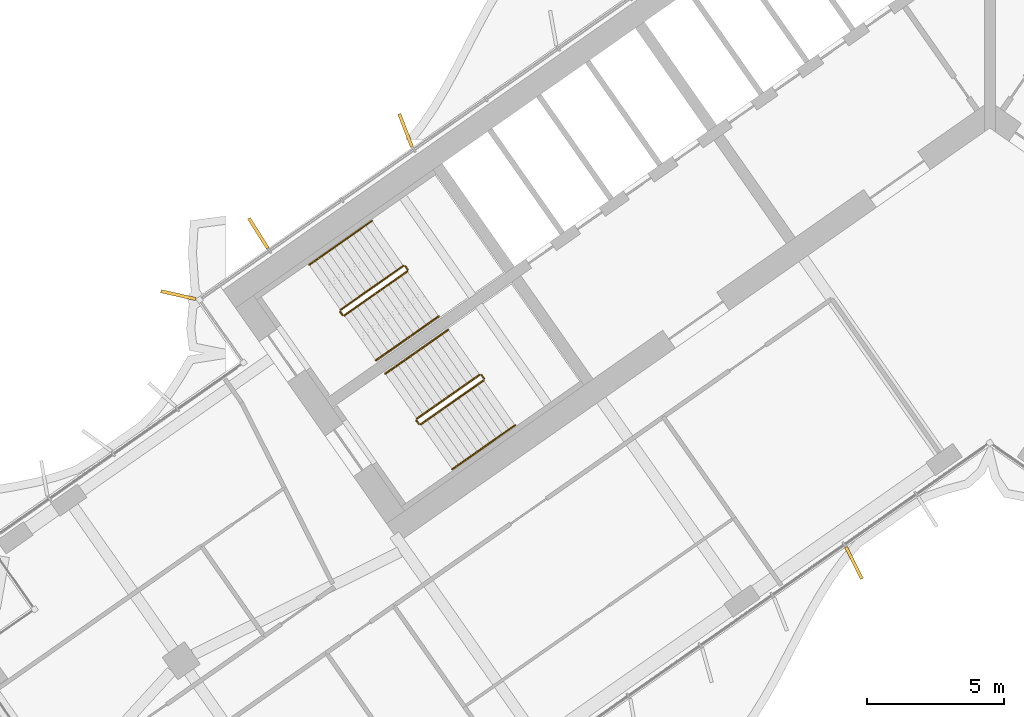
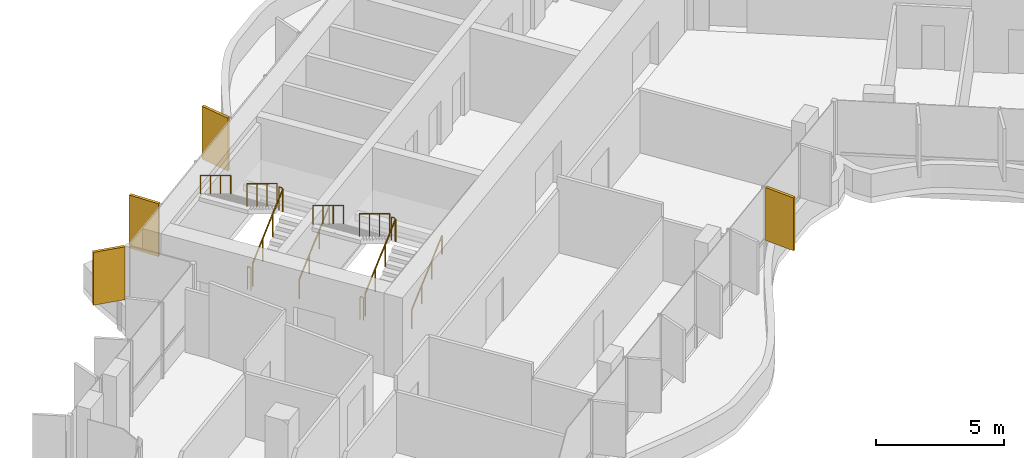
# One storey, part 20 of 24: 12 railings, 4 shading devices.
"""IFC4 building model written with IfcOpenShell, lengths in metres."""

from ifc_helpers import new_model, si_unit, direction, frame, origin, origin_2d, place, context, subcontext, project, spatial, rectangle, circle, extrude, material, layer, layer_set, type_object, element, save


model = new_model("IFC4")

# Units and contexts
model_context = context("Model", 3, precision=1e-05, world=origin(), true_north=direction((0.0, 1.0)))
body_context = subcontext(model_context, "Body", "Model", "MODEL_VIEW")
ifc_project = project(units=[si_unit("LENGTHUNIT", "METRE"), si_unit("AREAUNIT", "SQUARE_METRE"), si_unit("VOLUMEUNIT", "CUBIC_METRE"), si_unit("PLANEANGLEUNIT", "RADIAN"), si_unit("MASSUNIT", "GRAM", prefix="KILO")], contexts=[model_context])

# Site, building, storey
site_placement = place(None, origin())
site = spatial("IfcSite", under=ifc_project, at=site_placement, CompositionType="ELEMENT")
building_placement = place(site_placement, origin())
building = spatial("IfcBuilding", under=site, at=building_placement, Name="Tel Ilan Convention Tower", CompositionType="ELEMENT")
storey_placement = place(building_placement, frame((0.0, 0.0, 167.10009765625)))
storey = spatial("IfcBuildingStorey", under=building, at=storey_placement, Name="L38", CompositionType="ELEMENT", Elevation=167.10009765625)

# Shading devices
ifc_material_1 = material(Name="Aluminium, bronze anodised", Category="aluminium")
ifc_layer = layer(ifc_material_1, 0.1201171875)
ifc_layer_set = layer_set([ifc_layer], Name="FIN BRONZE 1300x120")
shading_device_type = type_object("IfcShadingDeviceType", Name="FIN BRONZE 1300x120", PredefinedType="USERDEFINED", material=ifc_layer_set)
for number, where, z_axis, x_axis, name in (
    (1, (-21.302978515625, -1.31103515625, 1.099853515625), (0.0, 0.0, 1.0), (-0.360177724803, 0.932883704733, 0.0), "FIN"),
    (2, (-26.674072265625, -5.063720703125, 1.099853515625), (0.0, 0.0, 1.0), (-0.533204432798, 0.845986425922, 0.0), "FIN"),
    (3, (-29.594970703125, -7.31494140625, 1.099853515625), (0.0, 0.0, 1.0), (-0.975235208752, 0.221170268371, 0.0), "FIN"),
    (4, (-4.9541015625, -17.08203125, 1.099853515625), (0.0, 0.0, 1.0), (0.448799180206, -0.893632640321, 0.0), "FIN"),
):
    element("IfcShadingDevice", number, at=place(storey_placement, frame(where, z_axis=z_axis, x_axis=x_axis)), inside=storey, type_object=shading_device_type, Name=name, ObjectType="FIN", PredefinedType="USERDEFINED", context=body_context, shape_type="SweptSolid", body=[
        extrude(rectangle(XDim=1.300048828125, YDim=0.1201171875, at=origin_2d()), origin(), (0.0, 0.0, 1.0), 2.52001953125),
    ])

# Railings
ifc_material_2 = material(Name="Stainless Steel Grade 316", Category="steel")
railing_type_1 = type_object("IfcRailingType", Name="Stainless Steel Stair Guard 1100 mm", PredefinedType="GUARDRAIL", material=ifc_material_2)
railing_1_placement = place(storey_placement, frame((-23.535400390625, -8.056396484375, 0.17724609375)))
element("IfcRailing", 5, at=railing_1_placement, inside=storey, type_object=railing_type_1, Name="L38 S1 stair guard 1", PredefinedType="GUARDRAIL", context=body_context, shape_type="SweptSolid", body=[
    extrude(circle(Radius=0.02392578125, at=origin_2d()), frame((0.0, 0.0, 1.076171875), z_axis=(0.692098378994, 0.484653031975, 0.534893701956), x_axis=(-0.573608623498, 0.819129505664, 0.0)), (0.0, 0.0, 1.0), 3.314208984375),
    extrude(circle(Radius=0.02099609375, at=origin_2d()), origin(), (0.0, 0.0, 1.0), 1.052001953125),
    extrude(circle(Radius=0.02099609375, at=origin_2d()), frame((0.7646484375, 0.535400390625, 0.5908203125)), (0.0, 0.0, 1.0), 1.052001953125),
    extrude(circle(Radius=0.02099609375, at=origin_2d()), frame((1.529052734375, 1.07080078125, 1.181884765625)), (0.0, 0.0, 1.0), 1.052001953125),
    extrude(circle(Radius=0.02099609375, at=origin_2d()), frame((2.293701171875, 1.606201171875, 1.772705078125)), (0.0, 0.0, 1.0), 1.052001953125),
])
railing_2_placement = place(storey_placement, frame((-21.2294921875, -6.380615234375, 1.949951171875)))
element("IfcRailing", 6, at=railing_2_placement, inside=storey, type_object=railing_type_1, Name="L38 S1 stair guard 2", PredefinedType="GUARDRAIL", context=body_context, shape_type="SweptSolid", body=[
    extrude(circle(Radius=0.02392578125, at=origin_2d()), frame((0.0, 0.0, 1.076171875), z_axis=(-0.573353020881, 0.819308436089, 0.0), x_axis=(-0.819308436089, -0.573353020881, 0.0)), (0.0, 0.0, 1.0), 0.14990234375),
    extrude(circle(Radius=0.02099609375, at=origin_2d()), origin(), (0.0, 0.0, 1.0), 1.052001953125),
    extrude(circle(Radius=0.02099609375, at=origin_2d()), frame((-0.0859375, 0.122802734375, 0.0)), (0.0, 0.0, 1.0), 1.052001953125),
])
railing_3_placement = place(storey_placement, frame((-21.38525390625, -6.24560546875, 2.127197265625)))
element("IfcRailing", 7, at=railing_3_placement, inside=storey, type_object=railing_type_1, Name="L38 S1 stair guard 3", PredefinedType="GUARDRAIL", context=body_context, shape_type="SweptSolid", body=[
    extrude(circle(Radius=0.02392578125, at=origin_2d()), frame((0.0, 0.0, 1.076171875), z_axis=(-0.692084706163, -0.484621375041, 0.534940073605), x_axis=(0.573591086599, -0.819141785879, 0.0)), (0.0, 0.0, 1.0), 3.313720703125),
    extrude(circle(Radius=0.02099609375, at=origin_2d()), origin(), (0.0, 0.0, 1.0), 1.052001953125),
    extrude(circle(Radius=0.02099609375, at=origin_2d()), frame((-0.764404296875, -0.535400390625, 0.5908203125)), (0.0, 0.0, 1.0), 1.052001953125),
    extrude(circle(Radius=0.02099609375, at=origin_2d()), frame((-1.529052734375, -1.070556640625, 1.181884765625)), (0.0, 0.0, 1.0), 1.052001953125),
    extrude(circle(Radius=0.02099609375, at=origin_2d()), frame((-2.29345703125, -1.60595703125, 1.772705078125)), (0.0, 0.0, 1.0), 1.052001953125),
])
railing_4_placement = place(storey_placement, frame((-23.60498046875, -8.0439453125, 0.0)))
element("IfcRailing", 8, at=railing_4_placement, inside=storey, type_object=railing_type_1, Name="L38 S1 stair guard 4", PredefinedType="GUARDRAIL", context=body_context, shape_type="SweptSolid", body=[
    extrude(circle(Radius=0.02392578125, at=origin_2d()), frame((0.0, 0.0, 1.076171875), z_axis=(-0.574444878118, 0.818543268254, 0.0), x_axis=(-0.818543268254, -0.574444878118, 0.0)), (0.0, 0.0, 1.0), 0.150146484375),
    extrude(circle(Radius=0.02099609375, at=origin_2d()), origin(), (0.0, 0.0, 1.0), 1.052001953125),
    extrude(circle(Radius=0.02099609375, at=origin_2d()), frame((-0.086181640625, 0.122802734375, 0.0)), (0.0, 0.0, 1.0), 1.052001953125),
])
railing_5_placement = place(storey_placement, frame((-20.753662109375, -12.029296875, 0.17724609375)))
element("IfcRailing", 9, at=railing_5_placement, inside=storey, type_object=railing_type_1, Name="L38 S2 stair guard 1", PredefinedType="GUARDRAIL", context=body_context, shape_type="SweptSolid", body=[
    extrude(circle(Radius=0.02392578125, at=origin_2d()), frame((0.0, 0.0, 1.076171875), z_axis=(0.692098378994, 0.484653031975, 0.534893701956), x_axis=(-0.573608623498, 0.819129505664, 0.0)), (0.0, 0.0, 1.0), 3.314208984375),
    extrude(circle(Radius=0.02099609375, at=origin_2d()), origin(), (0.0, 0.0, 1.0), 1.052001953125),
    extrude(circle(Radius=0.02099609375, at=origin_2d()), frame((0.7646484375, 0.535400390625, 0.5908203125)), (0.0, 0.0, 1.0), 1.052001953125),
    extrude(circle(Radius=0.02099609375, at=origin_2d()), frame((1.529052734375, 1.07080078125, 1.181884765625)), (0.0, 0.0, 1.0), 1.052001953125),
    extrude(circle(Radius=0.02099609375, at=origin_2d()), frame((2.293701171875, 1.606201171875, 1.772705078125)), (0.0, 0.0, 1.0), 1.052001953125),
])
railing_6_placement = place(storey_placement, frame((-18.44775390625, -10.353515625, 1.949951171875)))
element("IfcRailing", 10, at=railing_6_placement, inside=storey, type_object=railing_type_1, Name="L38 S2 stair guard 2", PredefinedType="GUARDRAIL", context=body_context, shape_type="SweptSolid", body=[
    extrude(circle(Radius=0.02392578125, at=origin_2d()), frame((0.0, 0.0, 1.076171875), z_axis=(-0.573353020881, 0.819308436089, 0.0), x_axis=(-0.819308436089, -0.573353020881, 0.0)), (0.0, 0.0, 1.0), 0.14990234375),
    extrude(circle(Radius=0.02099609375, at=origin_2d()), origin(), (0.0, 0.0, 1.0), 1.052001953125),
    extrude(circle(Radius=0.02099609375, at=origin_2d()), frame((-0.0859375, 0.122802734375, 0.0)), (0.0, 0.0, 1.0), 1.052001953125),
])
railing_7_placement = place(storey_placement, frame((-18.603271484375, -10.218505859375, 2.127197265625)))
element("IfcRailing", 11, at=railing_7_placement, inside=storey, type_object=railing_type_1, Name="L38 S2 stair guard 3", PredefinedType="GUARDRAIL", context=body_context, shape_type="SweptSolid", body=[
    extrude(circle(Radius=0.02392578125, at=origin_2d()), frame((0.0, 0.0, 1.076171875), z_axis=(-0.692123088272, -0.484596665743, 0.534912798717), x_axis=(0.573550118428, -0.819170471667, 0.0)), (0.0, 0.0, 1.0), 3.31396484375),
    extrude(circle(Radius=0.02099609375, at=origin_2d()), origin(), (0.0, 0.0, 1.0), 1.052001953125),
    extrude(circle(Radius=0.02099609375, at=origin_2d()), frame((-0.7646484375, -0.535400390625, 0.5908203125)), (0.0, 0.0, 1.0), 1.052001953125),
    extrude(circle(Radius=0.02099609375, at=origin_2d()), frame((-1.529052734375, -1.070556640625, 1.181884765625)), (0.0, 0.0, 1.0), 1.052001953125),
    extrude(circle(Radius=0.02099609375, at=origin_2d()), frame((-2.293701171875, -1.60595703125, 1.772705078125)), (0.0, 0.0, 1.0), 1.052001953125),
])
railing_8_placement = place(storey_placement, frame((-20.8232421875, -12.016845703125, 0.0)))
element("IfcRailing", 12, at=railing_8_placement, inside=storey, type_object=railing_type_1, Name="L38 S2 stair guard 4", PredefinedType="GUARDRAIL", context=body_context, shape_type="SweptSolid", body=[
    extrude(circle(Radius=0.02392578125, at=origin_2d()), frame((0.0, 0.0, 1.076171875), z_axis=(-0.573353020881, 0.819308436089, 0.0), x_axis=(-0.819308436089, -0.573353020881, 0.0)), (0.0, 0.0, 1.0), 0.14990234375),
    extrude(circle(Radius=0.02099609375, at=origin_2d()), origin(), (0.0, 0.0, 1.0), 1.052001953125),
    extrude(circle(Radius=0.02099609375, at=origin_2d()), frame((-0.0859375, 0.122802734375, 0.0)), (0.0, 0.0, 1.0), 1.052001953125),
])
ifc_material_3 = material(Name="Stainless Steel Grade 316", Category="steel")
railing_type_2 = type_object("IfcRailingType", Name="Stainless Steel Stair Handrail 900 mm", PredefinedType="HANDRAIL", material=ifc_material_3)
railing_9_placement = place(storey_placement, frame((-22.38818359375, -9.694580078125, 0.17724609375)))
element("IfcRailing", 13, at=railing_9_placement, inside=storey, type_object=railing_type_2, Name="L38 S1 stair handrail 1", PredefinedType="HANDRAIL", context=body_context, shape_type="SweptSolid", body=[
    extrude(circle(Radius=0.02392578125, at=origin_2d()), frame((0.0, 0.0, 0.8759765625), z_axis=(0.692084706163, 0.484621375041, 0.534940073605), x_axis=(-0.573591086599, 0.819141785879, 0.0)), (0.0, 0.0, 1.0), 3.313720703125),
    extrude(circle(Radius=0.02099609375, at=origin_2d()), origin(), (0.0, 0.0, 1.0), 0.851806640625),
    extrude(circle(Radius=0.02099609375, at=origin_2d()), frame((0.764404296875, 0.535400390625, 0.5908203125)), (0.0, 0.0, 1.0), 0.851806640625),
    extrude(circle(Radius=0.02099609375, at=origin_2d()), frame((1.529052734375, 1.070556640625, 1.181884765625)), (0.0, 0.0, 1.0), 0.851806640625),
    extrude(circle(Radius=0.02099609375, at=origin_2d()), frame((2.29345703125, 1.60595703125, 1.772705078125)), (0.0, 0.0, 1.0), 0.851806640625),
])
railing_10_placement = place(storey_placement, frame((-22.5322265625, -4.607177734375, 2.127197265625)))
element("IfcRailing", 14, at=railing_10_placement, inside=storey, type_object=railing_type_2, Name="L38 S1 stair handrail 2", PredefinedType="HANDRAIL", context=body_context, shape_type="SweptSolid", body=[
    extrude(circle(Radius=0.02392578125, at=origin_2d()), frame((0.0, 0.0, 0.8759765625), z_axis=(-0.692123088272, -0.484596665743, 0.534912798717), x_axis=(0.573550118428, -0.819170471667, 0.0)), (0.0, 0.0, 1.0), 3.31396484375),
    extrude(circle(Radius=0.02099609375, at=origin_2d()), origin(), (0.0, 0.0, 1.0), 0.851806640625),
    extrude(circle(Radius=0.02099609375, at=origin_2d()), frame((-0.7646484375, -0.535400390625, 0.5908203125)), (0.0, 0.0, 1.0), 0.851806640625),
    extrude(circle(Radius=0.02099609375, at=origin_2d()), frame((-1.529052734375, -1.070556640625, 1.181884765625)), (0.0, 0.0, 1.0), 0.851806640625),
    extrude(circle(Radius=0.02099609375, at=origin_2d()), frame((-2.293701171875, -1.60595703125, 1.772705078125)), (0.0, 0.0, 1.0), 0.851806640625),
])
railing_11_placement = place(storey_placement, frame((-19.6064453125, -13.66748046875, 0.17724609375)))
element("IfcRailing", 15, at=railing_11_placement, inside=storey, type_object=railing_type_2, Name="L38 S2 stair handrail 1", PredefinedType="HANDRAIL", context=body_context, shape_type="SweptSolid", body=[
    extrude(circle(Radius=0.02392578125, at=origin_2d()), frame((0.0, 0.0, 0.8759765625), z_axis=(0.692123088272, 0.484596665743, 0.534912798717), x_axis=(-0.573550118428, 0.819170471667, 0.0)), (0.0, 0.0, 1.0), 3.31396484375),
    extrude(circle(Radius=0.02099609375, at=origin_2d()), origin(), (0.0, 0.0, 1.0), 0.851806640625),
    extrude(circle(Radius=0.02099609375, at=origin_2d()), frame((0.7646484375, 0.535400390625, 0.5908203125)), (0.0, 0.0, 1.0), 0.851806640625),
    extrude(circle(Radius=0.02099609375, at=origin_2d()), frame((1.529052734375, 1.070556640625, 1.181884765625)), (0.0, 0.0, 1.0), 0.851806640625),
    extrude(circle(Radius=0.02099609375, at=origin_2d()), frame((2.293701171875, 1.60595703125, 1.772705078125)), (0.0, 0.0, 1.0), 0.851806640625),
])
railing_12_placement = place(storey_placement, frame((-19.75048828125, -8.580078125, 2.127197265625)))
element("IfcRailing", 16, at=railing_12_placement, inside=storey, type_object=railing_type_2, Name="L38 S2 stair handrail 2", PredefinedType="HANDRAIL", context=body_context, shape_type="SweptSolid", body=[
    extrude(circle(Radius=0.02392578125, at=origin_2d()), frame((0.0, 0.0, 0.8759765625), z_axis=(-0.692123088272, -0.484596665743, 0.534912798717), x_axis=(0.573550118428, -0.819170471667, 0.0)), (0.0, 0.0, 1.0), 3.31396484375),
    extrude(circle(Radius=0.02099609375, at=origin_2d()), origin(), (0.0, 0.0, 1.0), 0.851806640625),
    extrude(circle(Radius=0.02099609375, at=origin_2d()), frame((-0.7646484375, -0.535400390625, 0.5908203125)), (0.0, 0.0, 1.0), 0.851806640625),
    extrude(circle(Radius=0.02099609375, at=origin_2d()), frame((-1.529052734375, -1.070556640625, 1.181884765625)), (0.0, 0.0, 1.0), 0.851806640625),
    extrude(circle(Radius=0.02099609375, at=origin_2d()), frame((-2.293701171875, -1.60595703125, 1.772705078125)), (0.0, 0.0, 1.0), 0.851806640625),
])

save(model, "model.ifc")
